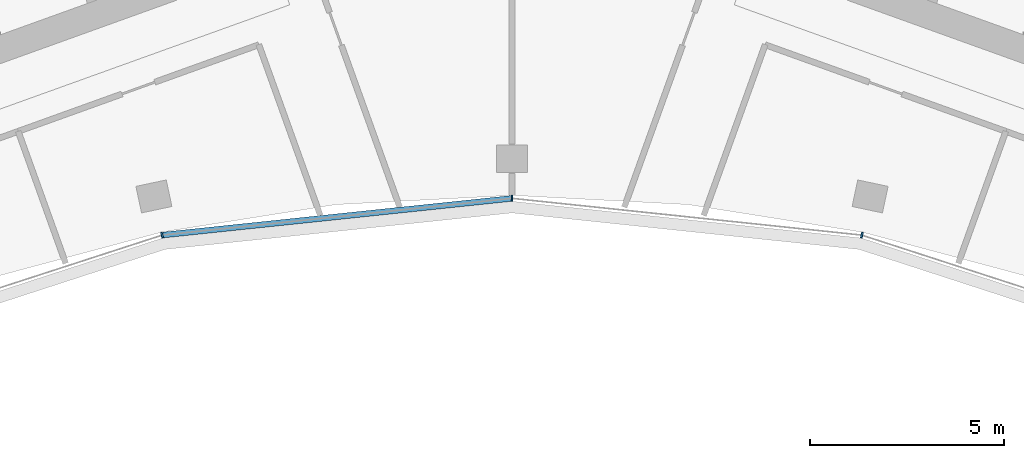
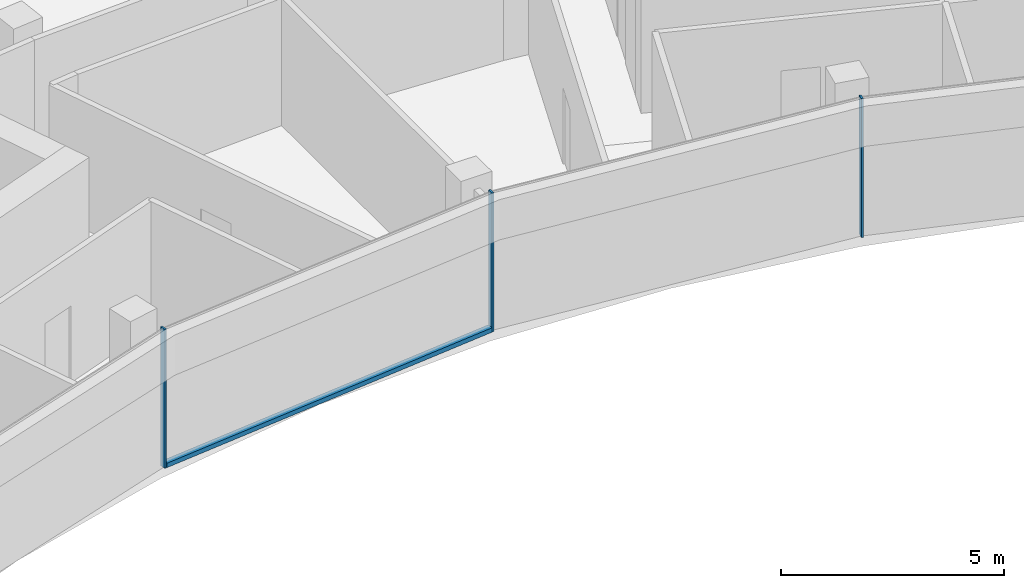
# One storey, part 5 of 19: 4 members, 1 element without a shape of its own.
"""IFC4 building model written with IfcOpenShell, lengths in metres."""

from ifc_helpers import new_model, si_unit, direction, frame, origin, origin_2d, place, context, subcontext, project, spatial, rectangle, extrude, material, layer, layer_set, material_profile, profile_set, type_object, element, aggregate, save


model = new_model("IFC4")

# Units and contexts
model_context = context("Model", 3, precision=1e-05, world=origin(), true_north=direction((0.0, 1.0)))
body_context = subcontext(model_context, "Body", "Model", "MODEL_VIEW")
ifc_project = project(units=[si_unit("LENGTHUNIT", "METRE"), si_unit("AREAUNIT", "SQUARE_METRE"), si_unit("VOLUMEUNIT", "CUBIC_METRE"), si_unit("PLANEANGLEUNIT", "RADIAN"), si_unit("MASSUNIT", "GRAM", prefix="KILO")], contexts=[model_context])

# Site, building, storey
site_placement = place(None, origin())
site = spatial("IfcSite", under=ifc_project, at=site_placement, CompositionType="ELEMENT")
building_placement = place(site_placement, origin())
building = spatial("IfcBuilding", under=site, at=building_placement, Name="Stone Belt Terrace Tower", CompositionType="ELEMENT")
storey_placement = place(building_placement, frame((0.0, 0.0, 258.0)))
storey = spatial("IfcBuildingStorey", under=building, at=storey_placement, Name="L62", CompositionType="ELEMENT", Elevation=258.0)

# Curtain wall, members
ifc_material = material(Name="Aluminium 6063-T6 anodised frame", Category="aluminium")
ifc_layer = layer(ifc_material, 0.14990234375)
ifc_layer_set = layer_set([ifc_layer], Name="CW-B unitised concave-face curtain wall")
curtain_wall_type = type_object("IfcCurtainWallType", Name="CW-B unitised concave-face curtain wall", PredefinedType="NOTDEFINED", material=ifc_layer_set)
curtain_wall_placement = place(storey_placement, origin())
curtain_wall = element("IfcCurtainWall", 1, at=curtain_wall_placement, inside=storey, type_object=curtain_wall_type, Name="CW-B concave face L62", PredefinedType="NOTDEFINED")
ifc_material_profile_1 = material_profile(ifc_material, rectangle(XDim=0.14990234375, YDim=0.050048828125, at=origin_2d()), Name="Aluminium 6063-T6 50x150")
ifc_profile_set_1 = profile_set([ifc_material_profile_1], Name="Aluminium 6063-T6 anodised frame")
member_type_1 = type_object("IfcMemberType", Name="CW-B mullion 50 x 150", PredefinedType="MULLION", material=ifc_profile_set_1)
member_1_placement = place(storey_placement, frame((-9.028564453125, 42.4755859375, 0.0), z_axis=(0.0, 0.0, 1.0), x_axis=(-0.207911690818, 0.978147600734, 0.0)))
member_1 = element("IfcMember", 2, at=member_1_placement, type_object=member_type_1, Name="CW-B mullion 4", PredefinedType="MULLION", context=body_context, shape_type="SweptSolid", body=[
    extrude(rectangle(XDim=0.14990234375, YDim=0.050048828125, at=origin_2d()), origin(), (0.0, 0.0, 1.0), 3.800048828125),
])
member_2_placement = place(storey_placement, frame((0.0, 43.424560546875, 0.0), z_axis=(0.0, 0.0, 1.0), x_axis=(0.0, 1.0, 0.0)))
member_2 = element("IfcMember", 3, at=member_2_placement, type_object=member_type_1, Name="CW-B mullion 5", PredefinedType="MULLION", context=body_context, shape_type="SweptSolid", body=[
    extrude(rectangle(XDim=0.14990234375, YDim=0.050048828125, at=origin_2d()), origin(), (0.0, 0.0, 1.0), 3.800048828125),
])
member_3_placement = place(storey_placement, frame((9.028564453125, 42.4755859375, 0.0), z_axis=(0.0, 0.0, 1.0), x_axis=(0.207911690818, 0.978147600734, 0.0)))
member_3 = element("IfcMember", 4, at=member_3_placement, type_object=member_type_1, Name="CW-B mullion 6", PredefinedType="MULLION", context=body_context, shape_type="SweptSolid", body=[
    extrude(rectangle(XDim=0.14990234375, YDim=0.050048828125, at=origin_2d()), origin(), (0.0, 0.0, 1.0), 3.800048828125),
])
ifc_material_profile_2 = material_profile(ifc_material, rectangle(XDim=0.14990234375, YDim=0.1201171875, at=origin_2d()), Name="Aluminium 6063-T6 150x120")
ifc_profile_set_2 = profile_set([ifc_material_profile_2], Name="Aluminium 6063-T6 anodised frame")
member_type_2 = type_object("IfcMemberType", Name="CW-B transom 120 x 150", PredefinedType="USERDEFINED", material=ifc_profile_set_2)
member_4_placement = place(storey_placement, frame((-8.995849609375, 42.47900390625, 0.06005859375), z_axis=(0.994521323407, 0.104533904969, 0.0), x_axis=(-0.104533904969, 0.994521323407, 0.0)))
member_4 = element("IfcMember", 5, at=member_4_placement, type_object=member_type_2, Name="CW-B transom 4.1", ObjectType="TRANSOM", PredefinedType="USERDEFINED", context=body_context, shape_type="SweptSolid", body=[
    extrude(rectangle(XDim=0.14990234375, YDim=0.1201171875, at=origin_2d()), origin(), (0.0, 0.0, 1.0), 9.0126953125),
])
aggregate(curtain_wall, [member_1, member_2, member_3, member_4])

save(model, "model.ifc")
